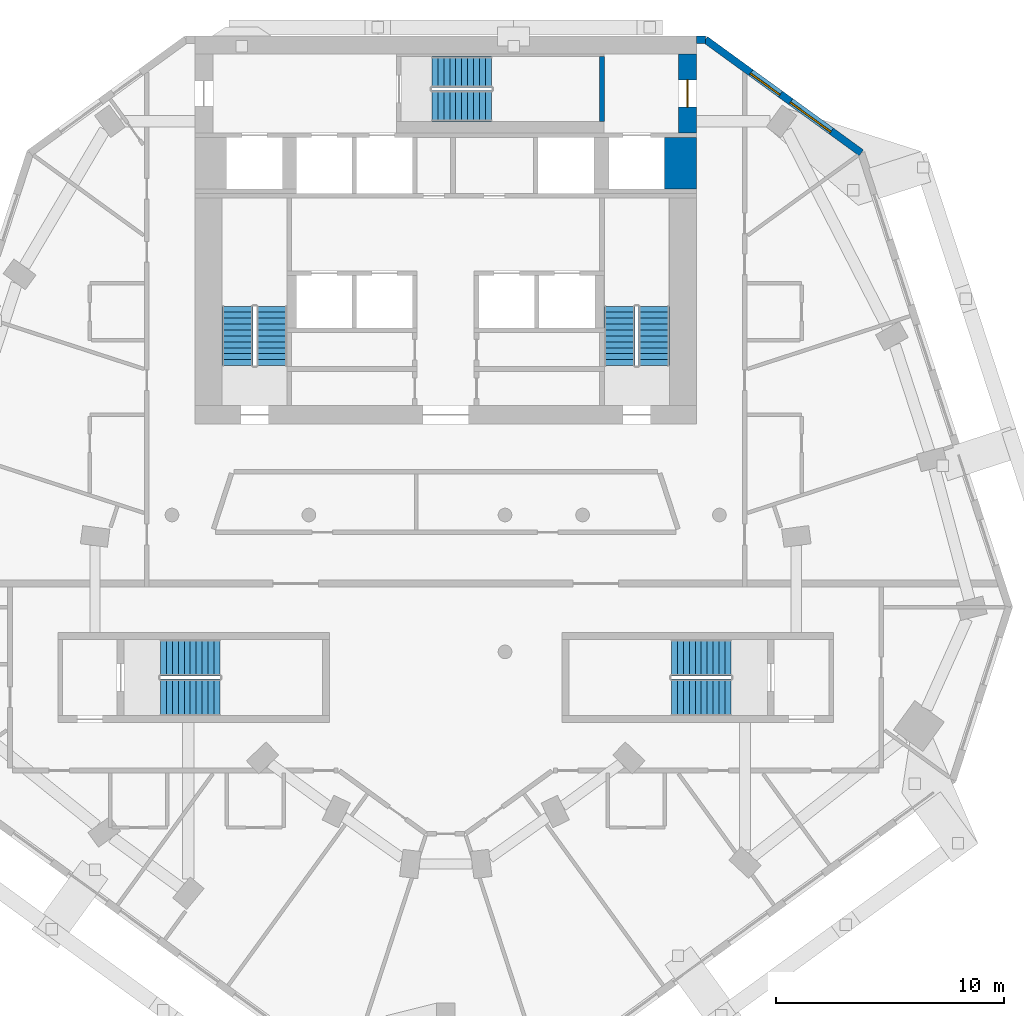
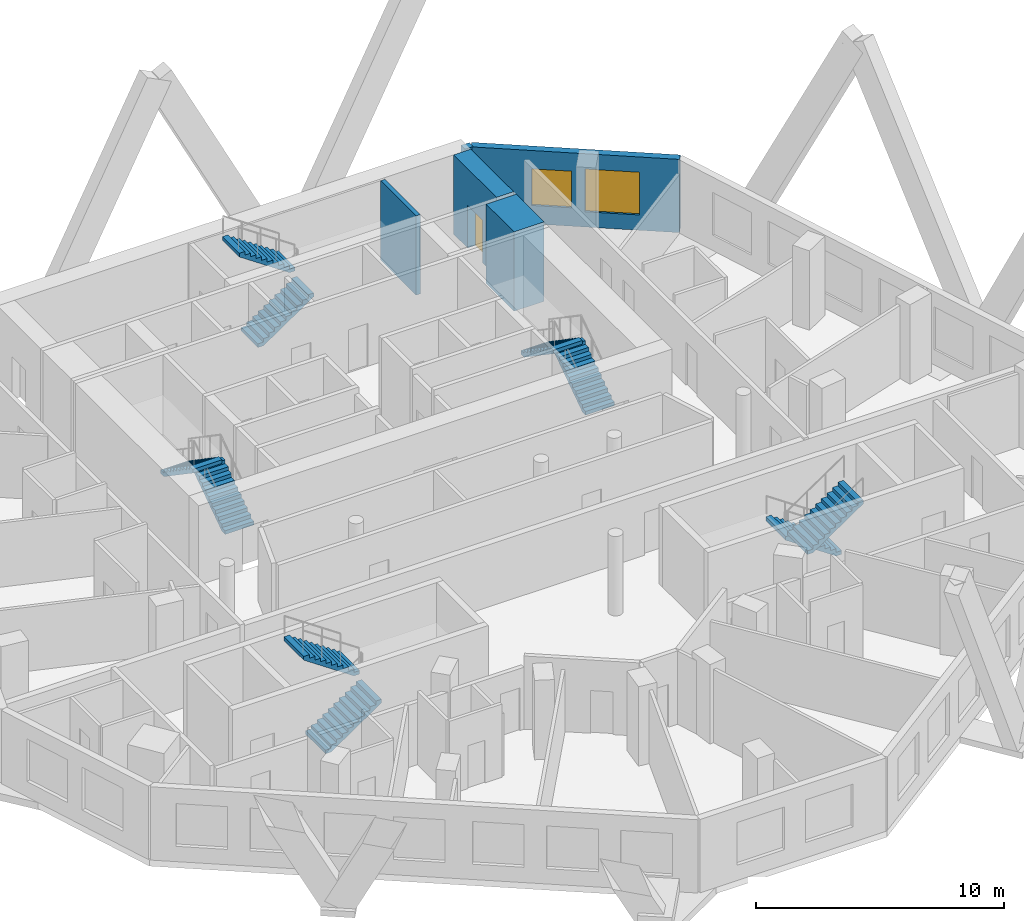
# One storey, part 8 of 10: 10 stair flights, 5 walls, 2 windows, 1 door, 3 openings, 5 elements without a shape of their own.
"""IFC4 building model written with IfcOpenShell, lengths in metres."""

from ifc_helpers import new_model, si_unit, direction, frame, frame_2d, origin, place, context, subcontext, project, spatial, polyline, rectangle, outline, extrude, material, layer, layer_set, type_object, element, fill, aggregate, save


model = new_model("IFC4")

# Units and contexts
model_context = context("Model", 3, precision=1e-05, world=origin(), true_north=direction((0.0, 1.0)))
body_context = subcontext(model_context, "Body", "Model", "MODEL_VIEW")
ifc_project = project(units=[si_unit("LENGTHUNIT", "METRE"), si_unit("AREAUNIT", "SQUARE_METRE"), si_unit("VOLUMEUNIT", "CUBIC_METRE"), si_unit("PLANEANGLEUNIT", "RADIAN"), si_unit("MASSUNIT", "GRAM", prefix="KILO")], contexts=[model_context])

# Site, building, storey
site_placement = place(None, origin())
site = spatial("IfcSite", under=ifc_project, at=site_placement, CompositionType="ELEMENT")
building_placement = place(site_placement, origin())
building = spatial("IfcBuilding", under=site, at=building_placement, Name="White Candle Pilgrim Tower", CompositionType="ELEMENT")
storey_placement = place(building_placement, frame((0.0, 0.0, 208.199951171875)))
storey = spatial("IfcBuildingStorey", under=building, at=storey_placement, Name="L48", CompositionType="ELEMENT", Elevation=208.199951171875)

# Wall
ifc_material_1 = material(Name="Concrete C50/60", Category="concrete")
ifc_layer_1 = layer(ifc_material_1, 1.39990234375)
ifc_layer_set_1 = layer_set([ifc_layer_1], Name="Core wall 1400 mm Concrete C50/60")
wall_type_1 = type_object("IfcWallType", Name="Core wall 1400 mm Concrete C50/60", PredefinedType="SHEAR", material=ifc_layer_set_1)
wall_1_placement = place(storey_placement, frame((80.300048828125, 81.300048828125, 0.0), z_axis=(0.0, 0.0, 1.0), x_axis=(0.0, 1.0, 0.0)))
element("IfcWall", 1, at=wall_1_placement, inside=storey, type_object=wall_type_1, Name="WL-L48-C46", PredefinedType="SHEAR", context=body_context, shape_type="SweptSolid", body=[
    extrude(rectangle(XDim=2.25, YDim=1.39990234375, at=frame_2d((1.125, 0.0))), origin(), (0.0, 0.0, 1.0), 3.900146484375),
])

# Wall, opening, door
ifc_layer_2 = layer(ifc_material_1, 0.800048828125)
ifc_layer_set_2 = layer_set([ifc_layer_2], Name="Core wall 800 mm Concrete C50/60")
wall_type_2 = type_object("IfcWallType", Name="Core wall 800 mm Concrete C50/60", PredefinedType="SHEAR", material=ifc_layer_set_2)
wall_2_placement = place(storey_placement, frame((80.60009765625, 83.75, 0.0), z_axis=(0.0, 0.0, 1.0), x_axis=(0.0, 1.0, 0.0)))
wall_2 = element("IfcWall", 2, at=wall_2_placement, inside=storey, type_object=wall_type_2, Name="WL-L48-C50", PredefinedType="SHEAR", context=body_context, shape_type="SweptSolid", body=[
    extrude(rectangle(XDim=3.449951171875, YDim=0.800048828125, at=frame_2d((1.72509765625, 0.0))), origin(), (0.0, 0.0, 1.0), 3.900146484375),
])
opening_1_placement = place(wall_2_placement, frame((1.125, 0.0, 0.0)))
opening_1 = element("IfcOpeningElement", 3, at=opening_1_placement, cuts=wall_2, Name="Opening T15-010", PredefinedType="OPENING", context=body_context, shape_type="SweptSolid", body=[
    extrude(rectangle(XDim=1.199951171875, YDim=2.10009765625, at=frame_2d((0.60009765625, 1.050048828125))), frame((0.0, 0.409912109375, 0.0), z_axis=(0.0, -1.0, 0.0), x_axis=(1.0, 0.0, 0.0)), (0.0, 0.0, 1.0), 0.820068359375),
])
ifc_material_2 = material(Name="Steel door leaf", Category="steel")
door_type = type_object("IfcDoorType", Name="Fire door 1200 x 2100 EI 30", OperationType="NOTDEFINED", PredefinedType="DOOR", material=ifc_material_2)
door_placement = place(opening_1_placement, origin())
door = element("IfcDoor", 4, at=door_placement, inside=storey, type_object=door_type, Name="Door T15-010", OperationType="SINGLE_SWING_RIGHT", OverallHeight=2.10009765625, OverallWidth=1.199951171875, PredefinedType="DOOR", context=body_context, shape_type="SweptSolid", body=[
    extrude(rectangle(XDim=1.199951171875, YDim=2.10009765625, at=frame_2d((0.60009765625, 1.050048828125))), frame((0.0, 0.02490234375, 0.0), z_axis=(0.0, -1.0, 0.0), x_axis=(1.0, 0.0, 0.0)), (0.0, 0.0, 1.0), 0.050048828125),
])
fill(opening_1, door)

# Wall, openings, windows
ifc_material_3 = material(Name="Precast concrete C40/50", Category="concrete")
ifc_layer_3 = layer(ifc_material_3, 0.320068359375)
ifc_layer_set_3 = layer_set([ifc_layer_3], Name="Facade wall EW1 precast concrete C40/50 pier wall with timber-lined reveals")
wall_type_3 = type_object("IfcWallType", Name="Facade wall EW1 precast concrete C40/50 pier wall with timber-lined reveals", PredefinedType="SOLIDWALL", material=ifc_layer_set_3)
wall_3_placement = place(storey_placement, frame((88.2177734375, 82.875732421875, 0.0), z_axis=(0.0, 0.0, 1.0), x_axis=(-0.809013499188, 0.587790062975, 0.0)))
wall_3 = element("IfcWall", 5, at=wall_3_placement, inside=storey, type_object=wall_type_3, Name="Facade wall L48 NE chamfer", PredefinedType="SOLIDWALL", context=body_context, shape_type="SweptSolid", body=[
    extrude(rectangle(XDim=8.44580078125, YDim=0.320068359375, at=frame_2d((4.222900390625, 0.0))), origin(), (0.0, 0.0, 1.0), 3.60009765625),
])
opening_2_placement = place(wall_3_placement, frame((1.622802734375, 0.0, 0.75)))
opening_2 = element("IfcOpeningElement", 6, at=opening_2_placement, cuts=wall_3, Name="Opening W4", PredefinedType="OPENING", context=body_context, shape_type="SweptSolid", body=[
    extrude(rectangle(XDim=2.199951171875, YDim=2.10009765625, at=frame_2d((1.10009765625, 1.050048828125))), frame((0.0, 0.169921875, 0.0), z_axis=(0.0, -1.0, 0.0), x_axis=(1.0, 0.0, 0.0)), (0.0, 0.0, 1.0), 0.340087890625),
])
opening_3_placement = place(wall_3_placement, frame((4.37939453125, 0.0, 0.89990234375)))
opening_3 = element("IfcOpeningElement", 7, at=opening_3_placement, cuts=wall_3, Name="Opening W2", PredefinedType="OPENING", context=body_context, shape_type="SweptSolid", body=[
    extrude(rectangle(XDim=1.60009765625, YDim=1.800048828125, at=frame_2d((0.800048828125, 0.89990234375))), frame((0.0, 0.169921875, 0.0), z_axis=(0.0, -1.0, 0.0), x_axis=(1.0, 0.0, 0.0)), (0.0, 0.0, 1.0), 0.340087890625),
])
ifc_material_4 = material(Name="Timber frame with triple glazing", Category="wood")
window_type_1 = type_object("IfcWindowType", Name="Window W2 1600x1800 timber frame triple glazing", PartitioningType="SINGLE_PANEL", PredefinedType="WINDOW", material=ifc_material_4)
window_1_placement = place(opening_3_placement, origin())
window_1 = element("IfcWindow", 8, at=window_1_placement, inside=storey, type_object=window_type_1, Name="Window W2 L48 NE chamfer 2", OverallHeight=1.800048828125, OverallWidth=1.60009765625, PartitioningType="SINGLE_PANEL", PredefinedType="WINDOW", context=body_context, shape_type="SweptSolid", body=[
    extrude(rectangle(XDim=1.60009765625, YDim=1.800048828125, at=frame_2d((0.800048828125, 0.89990234375))), frame((0.0, 0.070068359375, 0.0), z_axis=(0.0, -1.0, 0.0), x_axis=(1.0, 0.0, 0.0)), (0.0, 0.0, 1.0), 0.06005859375),
])
fill(opening_3, window_1)
window_type_2 = type_object("IfcWindowType", Name="Window W4 2200x2100 timber frame triple glazing", PartitioningType="SINGLE_PANEL", PredefinedType="WINDOW", material=ifc_material_4)
window_2_placement = place(opening_2_placement, origin())
window_2 = element("IfcWindow", 9, at=window_2_placement, inside=storey, type_object=window_type_2, Name="Window W4 L48 NE chamfer 1", OverallHeight=2.10009765625, OverallWidth=2.199951171875, PartitioningType="SINGLE_PANEL", PredefinedType="WINDOW", context=body_context, shape_type="SweptSolid", body=[
    extrude(rectangle(XDim=2.199951171875, YDim=2.10009765625, at=frame_2d((1.10009765625, 1.050048828125))), frame((0.0, 0.070068359375, 0.0), z_axis=(0.0, -1.0, 0.0), x_axis=(1.0, 0.0, 0.0)), (0.0, 0.0, 1.0), 0.06005859375),
])
fill(opening_2, window_2)

# Walls
wall_4_placement = place(storey_placement, frame((81.385009765625, 87.840087890625, 0.0), z_axis=(0.0, 0.0, 1.0), x_axis=(-1.0, 0.0, 0.0)))
element("IfcWall", 10, at=wall_4_placement, inside=storey, type_object=wall_type_3, Name="Facade wall L48 N", PredefinedType="SOLIDWALL", context=body_context, shape_type="SweptSolid", body=[
    extrude(rectangle(XDim=0.385009765625, YDim=0.320068359375, at=frame_2d((0.1923828125, 0.0))), origin(), (0.0, 0.0, 1.0), 3.60009765625),
])
ifc_layer_4 = layer(ifc_material_1, 0.199951171875)
ifc_layer_set_4 = layer_set([ifc_layer_4], Name="Stair shaft wall 200 mm Concrete C50/60")
wall_type_4 = type_object("IfcWallType", Name="Stair shaft wall 200 mm Concrete C50/60", PredefinedType="SHEAR", material=ifc_layer_set_4)
wall_5_placement = place(storey_placement, frame((76.85009765625, 84.25, 0.0), z_axis=(0.0, 0.0, 1.0), x_axis=(0.0, 1.0, 0.0)))
element("IfcWall", 11, at=wall_5_placement, inside=storey, type_object=wall_type_4, Name="WL-L48-C52", PredefinedType="SHEAR", context=body_context, shape_type="SweptSolid", body=[
    extrude(rectangle(XDim=2.85009765625, YDim=0.199951171875, at=frame_2d((1.425048828125, 0.0))), origin(), (0.0, 0.0, 1.0), 3.900146484375),
])

# Stair, stair flights
ifc_material_5 = material(Name="Concrete C40/50", Category="concrete")
stair_type_1 = type_object("IfcStairType", Name="Exit stair 1 flight width 1350 mm", PredefinedType="HALF_TURN_STAIR", material=ifc_material_5)
stair_1_placement = place(storey_placement, origin())
stair_1 = element("IfcStair", 12, at=stair_1_placement, inside=storey, type_object=stair_type_1, Name="L48 stair 1", PredefinedType="NOTDEFINED")
ifc_layer_5 = layer(ifc_material_5, 0.14990234375)
ifc_layer_set_5 = layer_set([ifc_layer_5], Name="Stair flight Concrete C40/50")
stair_flight_type = type_object("IfcStairFlightType", Name="Stair flight Concrete C40/50", PredefinedType="STRAIGHT", material=ifc_layer_set_5)
stair_flight_1_placement = place(storey_placement, frame((62.375, 73.550048828125, 0.0), z_axis=(0.0, 0.0, 1.0), x_axis=(0.0, 1.0, 0.0)))
stair_flight_1 = element("IfcStairFlight", 13, at=stair_flight_1_placement, type_object=stair_flight_type, Name="ST1 flight 1", NumberOfRisers=11, NumberOfTreads=10, PredefinedType="NOTDEFINED", RiserHeight=0.177272727, TreadLength=0.26, context=body_context, shape_type="SweptSolid", body=[
    extrude(outline(polyline([(0.0, 0.0), (0.0, 0.17724609375), (0.260009765625, 0.17724609375), (0.260009765625, 0.3544921875), (0.52001953125, 0.3544921875), (0.52001953125, 0.53173828125), (0.780029296875, 0.53173828125), (0.780029296875, 0.708984375), (1.0400390625, 0.708984375), (1.0400390625, 0.886474609375), (1.300048828125, 0.886474609375), (1.300048828125, 1.063720703125), (1.56005859375, 1.063720703125), (1.56005859375, 1.240966796875), (1.820068359375, 1.240966796875), (1.820068359375, 1.418212890625), (2.080078125, 1.418212890625), (2.080078125, 1.595458984375), (2.340087890625, 1.595458984375), (2.340087890625, 1.772705078125), (2.60009765625, 1.772705078125), (2.60009765625, 1.949951171875), (2.60009765625, 1.59130859375), (0.26611328125, 0.0), (0.0, 0.0)])), frame((0.0, 0.675048828125, 0.0), z_axis=(0.0, -1.0, 0.0), x_axis=(1.0, 0.0, 0.0)), (0.0, 0.0, 1.0), 1.35009765625),
])
stair_flight_2_placement = place(storey_placement, frame((60.875, 76.14990234375, 1.949951171875), z_axis=(0.0, 0.0, 1.0), x_axis=(0.0, -1.0, 0.0)))
stair_flight_2 = element("IfcStairFlight", 14, at=stair_flight_2_placement, type_object=stair_flight_type, Name="ST1 flight 2", NumberOfRisers=11, NumberOfTreads=10, PredefinedType="NOTDEFINED", RiserHeight=0.177272727, TreadLength=0.26, context=body_context, shape_type="SweptSolid", body=[
    extrude(outline(polyline([(0.0, 0.0), (0.0, 0.17724609375), (0.260009765625, 0.17724609375), (0.260009765625, 0.3544921875), (0.52001953125, 0.3544921875), (0.52001953125, 0.53173828125), (0.780029296875, 0.53173828125), (0.780029296875, 0.708984375), (1.0400390625, 0.708984375), (1.0400390625, 0.886474609375), (1.300048828125, 0.886474609375), (1.300048828125, 1.063720703125), (1.56005859375, 1.063720703125), (1.56005859375, 1.240966796875), (1.820068359375, 1.240966796875), (1.820068359375, 1.418212890625), (2.080078125, 1.418212890625), (2.080078125, 1.595458984375), (2.340087890625, 1.595458984375), (2.340087890625, 1.772705078125), (2.60009765625, 1.772705078125), (2.60009765625, 1.949951171875), (2.60009765625, 1.59130859375), (0.26611328125, 0.0), (0.0, 0.0)])), frame((0.0, 0.675048828125, 0.0), z_axis=(0.0, -1.0, 0.0), x_axis=(1.0, 0.0, 0.0)), (0.0, 0.0, 1.0), 1.35009765625),
])
aggregate(stair_1, [stair_flight_1, stair_flight_2])

stair_type_2 = type_object("IfcStairType", Name="Exit stair 2 flight width 1350 mm", PredefinedType="HALF_TURN_STAIR", material=ifc_material_5)
stair_2_placement = place(storey_placement, origin())
stair_2 = element("IfcStair", 15, at=stair_2_placement, inside=storey, type_object=stair_type_2, Name="L48 stair 2", PredefinedType="NOTDEFINED")
stair_flight_3_placement = place(storey_placement, frame((79.125, 73.550048828125, 0.0), z_axis=(0.0, 0.0, 1.0), x_axis=(0.0, 1.0, 0.0)))
stair_flight_3 = element("IfcStairFlight", 16, at=stair_flight_3_placement, type_object=stair_flight_type, Name="ST2 flight 1", NumberOfRisers=11, NumberOfTreads=10, PredefinedType="NOTDEFINED", RiserHeight=0.177272727, TreadLength=0.26, context=body_context, shape_type="SweptSolid", body=[
    extrude(outline(polyline([(0.0, 0.0), (0.0, 0.17724609375), (0.260009765625, 0.17724609375), (0.260009765625, 0.3544921875), (0.52001953125, 0.3544921875), (0.52001953125, 0.53173828125), (0.780029296875, 0.53173828125), (0.780029296875, 0.708984375), (1.0400390625, 0.708984375), (1.0400390625, 0.886474609375), (1.300048828125, 0.886474609375), (1.300048828125, 1.063720703125), (1.56005859375, 1.063720703125), (1.56005859375, 1.240966796875), (1.820068359375, 1.240966796875), (1.820068359375, 1.418212890625), (2.080078125, 1.418212890625), (2.080078125, 1.595458984375), (2.340087890625, 1.595458984375), (2.340087890625, 1.772705078125), (2.60009765625, 1.772705078125), (2.60009765625, 1.949951171875), (2.60009765625, 1.59130859375), (0.26611328125, 0.0), (0.0, 0.0)])), frame((0.0, 0.675048828125, 0.0), z_axis=(0.0, -1.0, 0.0), x_axis=(1.0, 0.0, 0.0)), (0.0, 0.0, 1.0), 1.35009765625),
])
stair_flight_4_placement = place(storey_placement, frame((77.625, 76.14990234375, 1.949951171875), z_axis=(0.0, 0.0, 1.0), x_axis=(0.0, -1.0, 0.0)))
stair_flight_4 = element("IfcStairFlight", 17, at=stair_flight_4_placement, type_object=stair_flight_type, Name="ST2 flight 2", NumberOfRisers=11, NumberOfTreads=10, PredefinedType="NOTDEFINED", RiserHeight=0.177272727, TreadLength=0.26, context=body_context, shape_type="SweptSolid", body=[
    extrude(outline(polyline([(0.0, 0.0), (0.0, 0.17724609375), (0.260009765625, 0.17724609375), (0.260009765625, 0.3544921875), (0.52001953125, 0.3544921875), (0.52001953125, 0.53173828125), (0.780029296875, 0.53173828125), (0.780029296875, 0.708984375), (1.0400390625, 0.708984375), (1.0400390625, 0.886474609375), (1.300048828125, 0.886474609375), (1.300048828125, 1.063720703125), (1.56005859375, 1.063720703125), (1.56005859375, 1.240966796875), (1.820068359375, 1.240966796875), (1.820068359375, 1.418212890625), (2.080078125, 1.418212890625), (2.080078125, 1.595458984375), (2.340087890625, 1.595458984375), (2.340087890625, 1.772705078125), (2.60009765625, 1.772705078125), (2.60009765625, 1.949951171875), (2.60009765625, 1.59130859375), (0.26611328125, 0.0), (0.0, 0.0)])), frame((0.0, 0.675048828125, 0.0), z_axis=(0.0, -1.0, 0.0), x_axis=(1.0, 0.0, 0.0)), (0.0, 0.0, 1.0), 1.35009765625),
])
aggregate(stair_2, [stair_flight_3, stair_flight_4])

stair_type_3 = type_object("IfcStairType", Name="Exit stair 3 flight width 1350 mm", PredefinedType="HALF_TURN_STAIR", material=ifc_material_5)
stair_3_placement = place(storey_placement, origin())
stair_3 = element("IfcStair", 18, at=stair_3_placement, inside=storey, type_object=stair_type_3, Name="L48 stair 3", PredefinedType="NOTDEFINED")
stair_flight_5_placement = place(storey_placement, frame((69.39990234375, 84.925048828125, 0.0), z_axis=(0.0, 0.0, 1.0), x_axis=(1.0, 0.0, 0.0)))
stair_flight_5 = element("IfcStairFlight", 19, at=stair_flight_5_placement, type_object=stair_flight_type, Name="ST3 flight 1", NumberOfRisers=11, NumberOfTreads=10, PredefinedType="NOTDEFINED", RiserHeight=0.177272727, TreadLength=0.26, context=body_context, shape_type="SweptSolid", body=[
    extrude(outline(polyline([(0.0, 0.0), (0.0, 0.17724609375), (0.260009765625, 0.17724609375), (0.260009765625, 0.3544921875), (0.52001953125, 0.3544921875), (0.52001953125, 0.53173828125), (0.780029296875, 0.53173828125), (0.780029296875, 0.708984375), (1.0400390625, 0.708984375), (1.0400390625, 0.886474609375), (1.300048828125, 0.886474609375), (1.300048828125, 1.063720703125), (1.56005859375, 1.063720703125), (1.56005859375, 1.240966796875), (1.820068359375, 1.240966796875), (1.820068359375, 1.418212890625), (2.080078125, 1.418212890625), (2.080078125, 1.595458984375), (2.340087890625, 1.595458984375), (2.340087890625, 1.772705078125), (2.60009765625, 1.772705078125), (2.60009765625, 1.949951171875), (2.60009765625, 1.59130859375), (0.26611328125, 0.0), (0.0, 0.0)])), frame((0.0, 0.675048828125, 0.0), z_axis=(0.0, -1.0, 0.0), x_axis=(1.0, 0.0, 0.0)), (0.0, 0.0, 1.0), 1.35009765625),
])
stair_flight_6_placement = place(storey_placement, frame((72.0, 86.425048828125, 1.949951171875), z_axis=(0.0, 0.0, 1.0), x_axis=(-1.0, 0.0, 0.0)))
stair_flight_6 = element("IfcStairFlight", 20, at=stair_flight_6_placement, type_object=stair_flight_type, Name="ST3 flight 2", NumberOfRisers=11, NumberOfTreads=10, PredefinedType="NOTDEFINED", RiserHeight=0.177272727, TreadLength=0.26, context=body_context, shape_type="SweptSolid", body=[
    extrude(outline(polyline([(0.0, 0.0), (0.0, 0.17724609375), (0.260009765625, 0.17724609375), (0.260009765625, 0.3544921875), (0.52001953125, 0.3544921875), (0.52001953125, 0.53173828125), (0.780029296875, 0.53173828125), (0.780029296875, 0.708984375), (1.0400390625, 0.708984375), (1.0400390625, 0.886474609375), (1.300048828125, 0.886474609375), (1.300048828125, 1.063720703125), (1.56005859375, 1.063720703125), (1.56005859375, 1.240966796875), (1.820068359375, 1.240966796875), (1.820068359375, 1.418212890625), (2.080078125, 1.418212890625), (2.080078125, 1.595458984375), (2.340087890625, 1.595458984375), (2.340087890625, 1.772705078125), (2.60009765625, 1.772705078125), (2.60009765625, 1.949951171875), (2.60009765625, 1.59130859375), (0.26611328125, 0.0), (0.0, 0.0)])), frame((0.0, 0.675048828125, 0.0), z_axis=(0.0, -1.0, 0.0), x_axis=(1.0, 0.0, 0.0)), (0.0, 0.0, 1.0), 1.35009765625),
])
aggregate(stair_3, [stair_flight_5, stair_flight_6])

stair_type_4 = type_object("IfcStairType", Name="Exit stair 4 flight width 1600 mm", PredefinedType="HALF_TURN_STAIR", material=ifc_material_5)
stair_4_placement = place(storey_placement, origin())
stair_4 = element("IfcStair", 21, at=stair_4_placement, inside=storey, type_object=stair_type_4, Name="L48 stair 4", PredefinedType="NOTDEFINED")
stair_flight_7_placement = place(storey_placement, frame((82.5, 60.75, 0.0), z_axis=(0.0, 0.0, 1.0), x_axis=(-1.0, 0.0, 0.0)))
stair_flight_7 = element("IfcStairFlight", 22, at=stair_flight_7_placement, type_object=stair_flight_type, Name="ST4 flight 1", NumberOfRisers=11, NumberOfTreads=10, PredefinedType="NOTDEFINED", RiserHeight=0.177272727, TreadLength=0.26, context=body_context, shape_type="SweptSolid", body=[
    extrude(outline(polyline([(0.0, 0.0), (0.0, 0.17724609375), (0.260009765625, 0.17724609375), (0.260009765625, 0.3544921875), (0.52001953125, 0.3544921875), (0.52001953125, 0.53173828125), (0.780029296875, 0.53173828125), (0.780029296875, 0.708984375), (1.0400390625, 0.708984375), (1.0400390625, 0.886474609375), (1.300048828125, 0.886474609375), (1.300048828125, 1.063720703125), (1.56005859375, 1.063720703125), (1.56005859375, 1.240966796875), (1.820068359375, 1.240966796875), (1.820068359375, 1.418212890625), (2.080078125, 1.418212890625), (2.080078125, 1.595458984375), (2.340087890625, 1.595458984375), (2.340087890625, 1.772705078125), (2.60009765625, 1.772705078125), (2.60009765625, 1.949951171875), (2.60009765625, 1.59130859375), (0.26611328125, 0.0), (0.0, 0.0)])), frame((0.0, 0.800048828125, 0.0), z_axis=(0.0, -1.0, 0.0), x_axis=(1.0, 0.0, 0.0)), (0.0, 0.0, 1.0), 1.60009765625),
])
stair_flight_8_placement = place(storey_placement, frame((79.89990234375, 59.0, 1.949951171875), z_axis=(0.0, 0.0, 1.0), x_axis=(1.0, 0.0, 0.0)))
stair_flight_8 = element("IfcStairFlight", 23, at=stair_flight_8_placement, type_object=stair_flight_type, Name="ST4 flight 2", NumberOfRisers=11, NumberOfTreads=10, PredefinedType="NOTDEFINED", RiserHeight=0.177272727, TreadLength=0.26, context=body_context, shape_type="SweptSolid", body=[
    extrude(outline(polyline([(0.0, 0.0), (0.0, 0.17724609375), (0.260009765625, 0.17724609375), (0.260009765625, 0.3544921875), (0.52001953125, 0.3544921875), (0.52001953125, 0.53173828125), (0.780029296875, 0.53173828125), (0.780029296875, 0.708984375), (1.0400390625, 0.708984375), (1.0400390625, 0.886474609375), (1.300048828125, 0.886474609375), (1.300048828125, 1.063720703125), (1.56005859375, 1.063720703125), (1.56005859375, 1.240966796875), (1.820068359375, 1.240966796875), (1.820068359375, 1.418212890625), (2.080078125, 1.418212890625), (2.080078125, 1.595458984375), (2.340087890625, 1.595458984375), (2.340087890625, 1.772705078125), (2.60009765625, 1.772705078125), (2.60009765625, 1.949951171875), (2.60009765625, 1.59130859375), (0.26611328125, 0.0), (0.0, 0.0)])), frame((0.0, 0.800048828125, 0.0), z_axis=(0.0, -1.0, 0.0), x_axis=(1.0, 0.0, 0.0)), (0.0, 0.0, 1.0), 1.60009765625),
])
aggregate(stair_4, [stair_flight_7, stair_flight_8])

stair_type_5 = type_object("IfcStairType", Name="Exit stair 5 flight width 1600 mm", PredefinedType="HALF_TURN_STAIR", material=ifc_material_5)
stair_5_placement = place(storey_placement, origin())
stair_5 = element("IfcStair", 24, at=stair_5_placement, inside=storey, type_object=stair_type_5, Name="L48 stair 5", PredefinedType="NOTDEFINED")
stair_flight_9_placement = place(storey_placement, frame((57.5, 59.0, 0.0), z_axis=(0.0, 0.0, 1.0), x_axis=(1.0, 0.0, 0.0)))
stair_flight_9 = element("IfcStairFlight", 25, at=stair_flight_9_placement, type_object=stair_flight_type, Name="ST5 flight 1", NumberOfRisers=11, NumberOfTreads=10, PredefinedType="NOTDEFINED", RiserHeight=0.177272727, TreadLength=0.26, context=body_context, shape_type="SweptSolid", body=[
    extrude(outline(polyline([(0.0, 0.0), (0.0, 0.17724609375), (0.260009765625, 0.17724609375), (0.260009765625, 0.3544921875), (0.52001953125, 0.3544921875), (0.52001953125, 0.53173828125), (0.780029296875, 0.53173828125), (0.780029296875, 0.708984375), (1.0400390625, 0.708984375), (1.0400390625, 0.886474609375), (1.300048828125, 0.886474609375), (1.300048828125, 1.063720703125), (1.56005859375, 1.063720703125), (1.56005859375, 1.240966796875), (1.820068359375, 1.240966796875), (1.820068359375, 1.418212890625), (2.080078125, 1.418212890625), (2.080078125, 1.595458984375), (2.340087890625, 1.595458984375), (2.340087890625, 1.772705078125), (2.60009765625, 1.772705078125), (2.60009765625, 1.949951171875), (2.60009765625, 1.59130859375), (0.26611328125, 0.0), (0.0, 0.0)])), frame((0.0, 0.800048828125, 0.0), z_axis=(0.0, -1.0, 0.0), x_axis=(1.0, 0.0, 0.0)), (0.0, 0.0, 1.0), 1.60009765625),
])
stair_flight_10_placement = place(storey_placement, frame((60.10009765625, 60.75, 1.949951171875), z_axis=(0.0, 0.0, 1.0), x_axis=(-1.0, 0.0, 0.0)))
stair_flight_10 = element("IfcStairFlight", 26, at=stair_flight_10_placement, type_object=stair_flight_type, Name="ST5 flight 2", NumberOfRisers=11, NumberOfTreads=10, PredefinedType="NOTDEFINED", RiserHeight=0.177272727, TreadLength=0.26, context=body_context, shape_type="SweptSolid", body=[
    extrude(outline(polyline([(0.0, 0.0), (0.0, 0.17724609375), (0.260009765625, 0.17724609375), (0.260009765625, 0.3544921875), (0.52001953125, 0.3544921875), (0.52001953125, 0.53173828125), (0.780029296875, 0.53173828125), (0.780029296875, 0.708984375), (1.0400390625, 0.708984375), (1.0400390625, 0.886474609375), (1.300048828125, 0.886474609375), (1.300048828125, 1.063720703125), (1.56005859375, 1.063720703125), (1.56005859375, 1.240966796875), (1.820068359375, 1.240966796875), (1.820068359375, 1.418212890625), (2.080078125, 1.418212890625), (2.080078125, 1.595458984375), (2.340087890625, 1.595458984375), (2.340087890625, 1.772705078125), (2.60009765625, 1.772705078125), (2.60009765625, 1.949951171875), (2.60009765625, 1.59130859375), (0.26611328125, 0.0), (0.0, 0.0)])), frame((0.0, 0.800048828125, 0.0), z_axis=(0.0, -1.0, 0.0), x_axis=(1.0, 0.0, 0.0)), (0.0, 0.0, 1.0), 1.60009765625),
])
aggregate(stair_5, [stair_flight_9, stair_flight_10])

save(model, "model.ifc")
